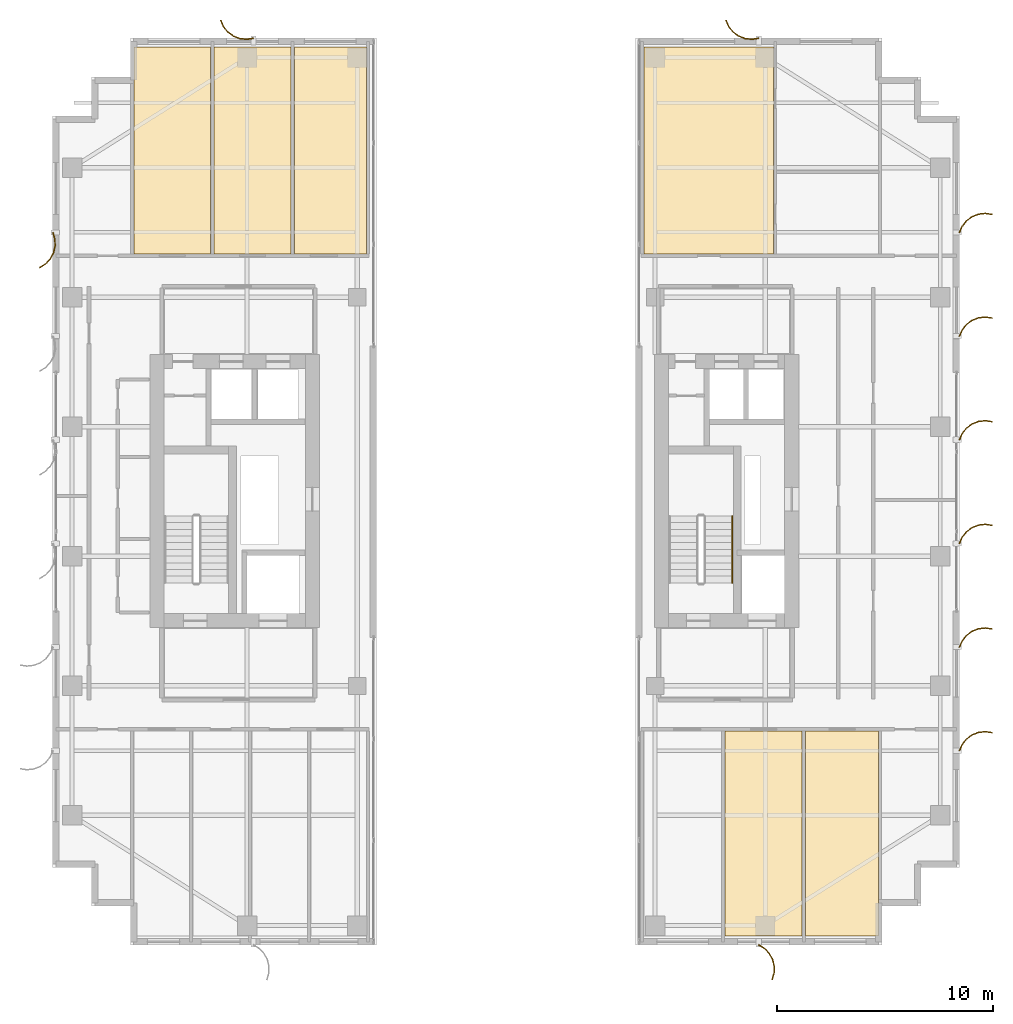
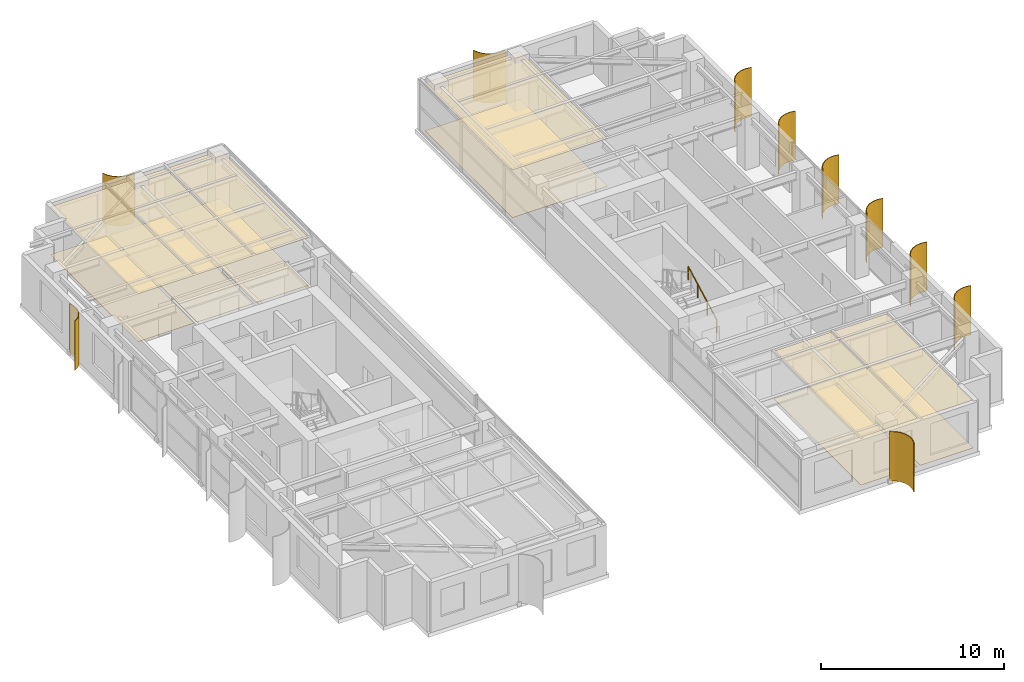
# One storey, part 22 of 22: 12 coverings, 10 shading devices, 1 railing.
"""IFC4 building model written with IfcOpenShell, lengths in metres."""

from ifc_helpers import new_model, si_unit, direction, frame, origin, origin_2d, place, context, subcontext, project, spatial, polyline, circle, outline, extrude, source, transform, mapped, material, layer, layer_set, type_object, element, save


model = new_model("IFC4")

# Units and contexts
model_context = context("Model", 3, precision=1e-05, world=origin(), true_north=direction((0.0, 1.0)))
body_context = subcontext(model_context, "Body", "Model", "MODEL_VIEW")
ifc_project = project(units=[si_unit("LENGTHUNIT", "METRE"), si_unit("AREAUNIT", "SQUARE_METRE"), si_unit("VOLUMEUNIT", "CUBIC_METRE"), si_unit("PLANEANGLEUNIT", "RADIAN"), si_unit("MASSUNIT", "GRAM", prefix="KILO")], contexts=[model_context])

# Site, building, storey
site_placement = place(None, origin())
site = spatial("IfcSite", under=ifc_project, at=site_placement, CompositionType="ELEMENT")
building_placement = place(site_placement, origin())
building = spatial("IfcBuilding", under=site, at=building_placement, Name="Khoralis Quay Care Tower", CompositionType="ELEMENT")
storey_placement = place(building_placement, frame((0.0, 0.0, 195.300048828125)))
storey = spatial("IfcBuildingStorey", under=building, at=storey_placement, Name="L51", CompositionType="ELEMENT", Elevation=195.300048828125)

# Coverings
ifc_material_1 = material(Name="Mineral-fibre acoustic ceiling tile")
ifc_layer_1 = layer(ifc_material_1, 0.01806640625)
ifc_layer_set_1 = layer_set([ifc_layer_1], Name="Mineral-fibre acoustic ceiling tile")
covering_type_1 = type_object("IfcCoveringType", Name="COV-CEIL-AC18", PredefinedType="CEILING", material=ifc_layer_set_1)
covering_1_placement = place(storey_placement, frame((0.0, 0.0, 3.19189453125)))
element("IfcCovering", 1, at=covering_1_placement, inside=storey, type_object=covering_type_1, Name="Suspended Acoustic Ceiling SP-L51-WN-COM0", PredefinedType="CEILING", context=body_context, shape_type="SweptSolid", body=[
    extrude(outline(polyline([(6.760009765625, 32.0), (10.31005859375, 32.0), (10.31005859375, 41.580078125), (6.760009765625, 41.580078125), (6.760009765625, 32.0)])), origin(), (0.0, 0.0, 1.0), 0.01806640625),
])
covering_2_placement = place(storey_placement, frame((0.0, 0.0, 3.19189453125)))
element("IfcCovering", 2, at=covering_2_placement, inside=storey, type_object=covering_type_1, Name="Suspended Acoustic Ceiling SP-L51-WN-COM1", PredefinedType="CEILING", context=body_context, shape_type="SweptSolid", body=[
    extrude(outline(polyline([(10.469970703125, 32.0), (14.030029296875, 32.0), (14.030029296875, 41.580078125), (10.469970703125, 41.580078125), (10.469970703125, 32.0)])), origin(), (0.0, 0.0, 1.0), 0.01806640625),
])
covering_3_placement = place(storey_placement, frame((0.0, 0.0, 3.19189453125)))
element("IfcCovering", 3, at=covering_3_placement, inside=storey, type_object=covering_type_1, Name="Suspended Acoustic Ceiling SP-L51-WN-COM2", PredefinedType="CEILING", context=body_context, shape_type="SweptSolid", body=[
    extrude(outline(polyline([(14.18994140625, 32.0), (17.52001953125, 32.0), (17.52001953125, 41.580078125), (14.18994140625, 41.580078125), (14.18994140625, 32.0)])), origin(), (0.0, 0.0, 1.0), 0.01806640625),
])
covering_4_placement = place(storey_placement, frame((0.0, 0.0, 3.19189453125)))
element("IfcCovering", 4, at=covering_4_placement, inside=storey, type_object=covering_type_1, Name="Suspended Acoustic Ceiling SP-L51-ES-COM1", PredefinedType="CEILING", context=body_context, shape_type="SweptSolid", body=[
    extrude(outline(polyline([(34.1298828125, 0.419921875), (37.7099609375, 0.419921875), (37.7099609375, 9.909912109375), (34.1298828125, 9.909912109375), (34.1298828125, 0.419921875)])), origin(), (0.0, 0.0, 1.0), 0.01806640625),
])
covering_5_placement = place(storey_placement, frame((0.0, 0.0, 3.19189453125)))
element("IfcCovering", 5, at=covering_5_placement, inside=storey, type_object=covering_type_1, Name="Suspended Acoustic Ceiling SP-L51-ES-COM2", PredefinedType="CEILING", context=body_context, shape_type="SweptSolid", body=[
    extrude(outline(polyline([(37.8701171875, 0.419921875), (41.239990234375, 0.419921875), (41.239990234375, 9.909912109375), (37.8701171875, 9.909912109375), (37.8701171875, 0.419921875)])), origin(), (0.0, 0.0, 1.0), 0.01806640625),
])
covering_6_placement = place(storey_placement, frame((0.0, 0.0, 3.19189453125)))
element("IfcCovering", 6, at=covering_6_placement, inside=storey, type_object=covering_type_1, Name="Suspended Acoustic Ceiling SP-L51-EN-STU0", PredefinedType="CEILING", context=body_context, shape_type="SweptSolid", body=[
    extrude(outline(polyline([(30.3798828125, 32.0), (36.39111328125, 32.0), (36.39111328125, 41.580078125), (30.3798828125, 41.580078125), (30.3798828125, 32.0)])), origin(), (0.0, 0.0, 1.0), 0.01806640625),
])
ifc_material_2 = material(Name="Porcelain and non-slip vinyl flooring")
ifc_layer_2 = layer(ifc_material_2, 0.02001953125)
ifc_layer_set_2 = layer_set([ifc_layer_2], Name="Porcelain and non-slip vinyl flooring")
covering_type_2 = type_object("IfcCoveringType", Name="COV-FLOOR-20", PredefinedType="FLOORING", material=ifc_layer_set_2)
covering_7_placement = place(storey_placement, origin())
element("IfcCovering", 7, at=covering_7_placement, inside=storey, type_object=covering_type_2, Name="Resilient Healthcare Flooring SP-L51-WN-COM0", PredefinedType="FLOORING", context=body_context, shape_type="SweptSolid", body=[
    extrude(outline(polyline([(6.760009765625, 32.0), (10.31005859375, 32.0), (10.31005859375, 41.580078125), (6.760009765625, 41.580078125), (6.760009765625, 32.0)])), origin(), (0.0, 0.0, 1.0), 0.02001953125),
])
covering_8_placement = place(storey_placement, origin())
element("IfcCovering", 8, at=covering_8_placement, inside=storey, type_object=covering_type_2, Name="Resilient Healthcare Flooring SP-L51-WN-COM1", PredefinedType="FLOORING", context=body_context, shape_type="SweptSolid", body=[
    extrude(outline(polyline([(10.469970703125, 32.0), (14.030029296875, 32.0), (14.030029296875, 41.580078125), (10.469970703125, 41.580078125), (10.469970703125, 32.0)])), origin(), (0.0, 0.0, 1.0), 0.02001953125),
])
covering_9_placement = place(storey_placement, origin())
element("IfcCovering", 9, at=covering_9_placement, inside=storey, type_object=covering_type_2, Name="Resilient Healthcare Flooring SP-L51-WN-COM2", PredefinedType="FLOORING", context=body_context, shape_type="SweptSolid", body=[
    extrude(outline(polyline([(14.18994140625, 32.0), (17.52001953125, 32.0), (17.52001953125, 41.580078125), (14.18994140625, 41.580078125), (14.18994140625, 32.0)])), origin(), (0.0, 0.0, 1.0), 0.02001953125),
])
covering_10_placement = place(storey_placement, origin())
element("IfcCovering", 10, at=covering_10_placement, inside=storey, type_object=covering_type_2, Name="Resilient Healthcare Flooring SP-L51-ES-COM1", PredefinedType="FLOORING", context=body_context, shape_type="SweptSolid", body=[
    extrude(outline(polyline([(34.1298828125, 0.419921875), (37.7099609375, 0.419921875), (37.7099609375, 9.909912109375), (34.1298828125, 9.909912109375), (34.1298828125, 0.419921875)])), origin(), (0.0, 0.0, 1.0), 0.02001953125),
])
covering_11_placement = place(storey_placement, origin())
element("IfcCovering", 11, at=covering_11_placement, inside=storey, type_object=covering_type_2, Name="Resilient Healthcare Flooring SP-L51-ES-COM2", PredefinedType="FLOORING", context=body_context, shape_type="SweptSolid", body=[
    extrude(outline(polyline([(37.8701171875, 0.419921875), (41.239990234375, 0.419921875), (41.239990234375, 9.909912109375), (37.8701171875, 9.909912109375), (37.8701171875, 0.419921875)])), origin(), (0.0, 0.0, 1.0), 0.02001953125),
])
covering_12_placement = place(storey_placement, origin())
element("IfcCovering", 12, at=covering_12_placement, inside=storey, type_object=covering_type_2, Name="Resilient Healthcare Flooring SP-L51-EN-STU0", PredefinedType="FLOORING", context=body_context, shape_type="SweptSolid", body=[
    extrude(outline(polyline([(30.3798828125, 32.0), (36.39111328125, 32.0), (36.39111328125, 41.580078125), (30.3798828125, 41.580078125), (30.3798828125, 32.0)])), origin(), (0.0, 0.0, 1.0), 0.02001953125),
])

# Railing
ifc_material_3 = material(Name="Brushed stainless steel", Category="steel")
railing_type = type_object("IfcRailingType", Name="RL-HAND-900", PredefinedType="HANDRAIL", material=ifc_material_3)
railing_placement = place(storey_placement, frame((34.469970703125, 16.77001953125, 0.16357421875)))
element("IfcRailing", 13, at=railing_placement, inside=storey, type_object=railing_type, Name="L51 ST-T2 stair handrail 1", PredefinedType="HANDRAIL", context=body_context, shape_type="SweptSolid", body=[
    extrude(circle(Radius=0.02392578125, at=origin_2d()), frame((0.0, 0.0, 0.8759765625), z_axis=(0.0, 0.884348015382, 0.466828220752), x_axis=(-1.0, 0.0, 0.0)), (0.0, 0.0, 1.0), 3.505615234375),
    extrude(circle(Radius=0.02099609375, at=origin_2d()), origin(), (0.0, 0.0, 1.0), 0.851806640625),
    extrude(circle(Radius=0.02099609375, at=origin_2d()), frame((0.0, 1.033447265625, 0.54541015625)), (0.0, 0.0, 1.0), 0.851806640625),
    extrude(circle(Radius=0.02099609375, at=origin_2d()), frame((0.0, 2.066650390625, 1.091064453125)), (0.0, 0.0, 1.0), 0.851806640625),
    extrude(circle(Radius=0.02099609375, at=origin_2d()), frame((0.0, 3.10009765625, 1.636474609375)), (0.0, 0.0, 1.0), 0.851806640625),
])

# Shading devices
ifc_material_4 = material(Name="Brushed pale anodised aluminium", Category="aluminium")
ifc_layer_3 = layer(ifc_material_4, 0.044921875)
ifc_layer_set_3 = layer_set([ifc_layer_3], Name="Brushed pale anodised aluminium")
shading_device_type = type_object("IfcShadingDeviceType", Name="SHD-FIN-1250", PredefinedType="USERDEFINED", material=ifc_layer_set_3)
shared_shape_1 = source(origin(), body_context, "Body", "SweptSolid", [
    extrude(outline(polyline([(0.0, 0.0), (0.17041015625, 0.2783203125), (0.4072265625, 0.5029296875), (0.694091796875, 0.658447265625), (1.01123046875, 0.734619140625), (1.33740234375, 0.72607421875), (1.650390625, 0.633544921875), (1.632080078125, 0.59228515625), (1.330322265625, 0.681640625), (1.015869140625, 0.68994140625), (0.710205078125, 0.616455078125), (0.43359375, 0.466552734375), (0.20556640625, 0.25), (0.041015625, -0.018310546875), (0.0, 0.0)])), origin(), (0.0, 0.0, 1.0), 3.280029296875),
])
shading_device_1_placement = place(storey_placement, frame((35.699951171875, 0.030029296875, 0.02001953125), z_axis=(0.0, 0.0, 1.0), x_axis=(0.0, -1.0, 0.0)))
element("IfcShadingDevice", 14, at=shading_device_1_placement, inside=storey, type_object=shading_device_type, Name="L51 Curved Solar Fin P2E0-01", ObjectType="FIN", PredefinedType="USERDEFINED", context=body_context, shape_type="MappedRepresentation", body=[
    mapped(shared_shape_1, transform((0.0, 0.0, 0.0), scale=1.0)),
])
shared_shape_2 = source(origin(), body_context, "Body", "SweptSolid", [
    extrude(outline(polyline([(0.0, 0.0), (-0.04833984375, 0.32275390625), (-0.01123046875, 0.64697265625), (0.1083984375, 0.950439453125), (0.302490234375, 1.212890625), (0.557861328125, 1.416015625), (0.85693359375, 1.546142578125), (0.869384765625, 1.5029296875), (0.5810546875, 1.37744140625), (0.334716796875, 1.181640625), (0.147705078125, 0.9287109375), (0.032470703125, 0.635986328125), (-0.003173828125, 0.323486328125), (0.043212890625, 0.012451171875), (0.0, 0.0)])), origin(), (0.0, 0.0, 1.0), 3.280029296875),
])
for number, where, z_axis, x_axis, name in (
    (15, (12.300048828125, 41.969970703125, 0.02001953125), (0.0, 0.0, 1.0), (0.0, 1.0, 0.0), "L51 Curved Solar Fin P1E2-01"),
    (16, (35.699951171875, 41.969970703125, 0.02001953125), (0.0, 0.0, 1.0), (0.0, 1.0, 0.0), "L51 Curved Solar Fin P2E10-01"),
):
    element("IfcShadingDevice", number, at=place(storey_placement, frame(where, z_axis=z_axis, x_axis=x_axis)), inside=storey, type_object=shading_device_type, Name=name, ObjectType="FIN", PredefinedType="USERDEFINED", context=body_context, shape_type="MappedRepresentation", body=[
        mapped(shared_shape_2, transform((0.0, 0.0, 0.0), scale=1.0)),
    ])
shared_shape_3 = source(origin(), body_context, "Body", "SweptSolid", [
    extrude(outline(polyline([(0.0, 0.0), (-0.0927734375, 0.31298828125), (-0.101318359375, 0.63916015625), (-0.025146484375, 0.956298828125), (0.130615234375, 1.2431640625), (0.355224609375, 1.479736328125), (0.633544921875, 1.650390625), (0.65185546875, 1.609130859375), (0.383544921875, 1.44482421875), (0.1669921875, 1.216796875), (0.01708984375, 0.940185546875), (-0.056396484375, 0.63427734375), (-0.04833984375, 0.31982421875), (0.041015625, 0.018310546875), (0.0, 0.0)])), origin(), (0.0, 0.0, 1.0), 3.280029296875),
])
shading_device_2_placement = place(storey_placement, frame((3.030029296875, 33.0, 0.02001953125), z_axis=(0.0, 0.0, 1.0), x_axis=(-1.0, 0.0, 0.0)))
element("IfcShadingDevice", 17, at=shading_device_2_placement, inside=storey, type_object=shading_device_type, Name="L51 Curved Solar Fin P1E7-01", ObjectType="FIN", PredefinedType="USERDEFINED", context=body_context, shape_type="MappedRepresentation", body=[
    mapped(shared_shape_3, transform((0.0, 0.0, 0.0), scale=1.0)),
])
shared_shape_4 = source(origin(), body_context, "Body", "SweptSolid", [
    extrude(outline(polyline([(0.0, 0.0), (0.130126953125, 0.29931640625), (0.333251953125, 0.5546875), (0.595458984375, 0.748779296875), (0.899169921875, 0.868408203125), (1.223388671875, 0.9052734375), (1.546142578125, 0.85693359375), (1.53369140625, 0.813720703125), (1.22265625, 0.8603515625), (0.91015625, 0.82470703125), (0.617431640625, 0.70947265625), (0.364501953125, 0.522216796875), (0.168701171875, 0.276123046875), (0.043212890625, -0.012451171875), (0.0, 0.0)])), origin(), (0.0, 0.0, 1.0), 3.280029296875),
])
for number, where, z_axis, x_axis, name in (
    (18, (44.969970703125, 9.0, 0.02001953125), (0.0, 0.0, 1.0), (1.0, 0.0, 0.0), "L51 Curved Solar Fin P2E5-01"),
    (19, (44.969970703125, 13.800048828125, 0.02001953125), (0.0, 0.0, 1.0), (1.0, 0.0, 0.0), "L51 Curved Solar Fin P2E5-02"),
    (20, (44.969970703125, 18.60009765625, 0.02001953125), (0.0, 0.0, 1.0), (1.0, 0.0, 0.0), "L51 Curved Solar Fin P2E5-03"),
    (21, (44.969970703125, 23.39990234375, 0.02001953125), (0.0, 0.0, 1.0), (1.0, 0.0, 0.0), "L51 Curved Solar Fin P2E5-04"),
    (22, (44.969970703125, 28.199951171875, 0.02001953125), (0.0, 0.0, 1.0), (1.0, 0.0, 0.0), "L51 Curved Solar Fin P2E5-05"),
    (23, (44.969970703125, 33.0, 0.02001953125), (0.0, 0.0, 1.0), (1.0, 0.0, 0.0), "L51 Curved Solar Fin P2E5-06"),
):
    element("IfcShadingDevice", number, at=place(storey_placement, frame(where, z_axis=z_axis, x_axis=x_axis)), inside=storey, type_object=shading_device_type, Name=name, ObjectType="FIN", PredefinedType="USERDEFINED", context=body_context, shape_type="MappedRepresentation", body=[
        mapped(shared_shape_4, transform((0.0, 0.0, 0.0), scale=1.0)),
    ])

save(model, "model.ifc")
